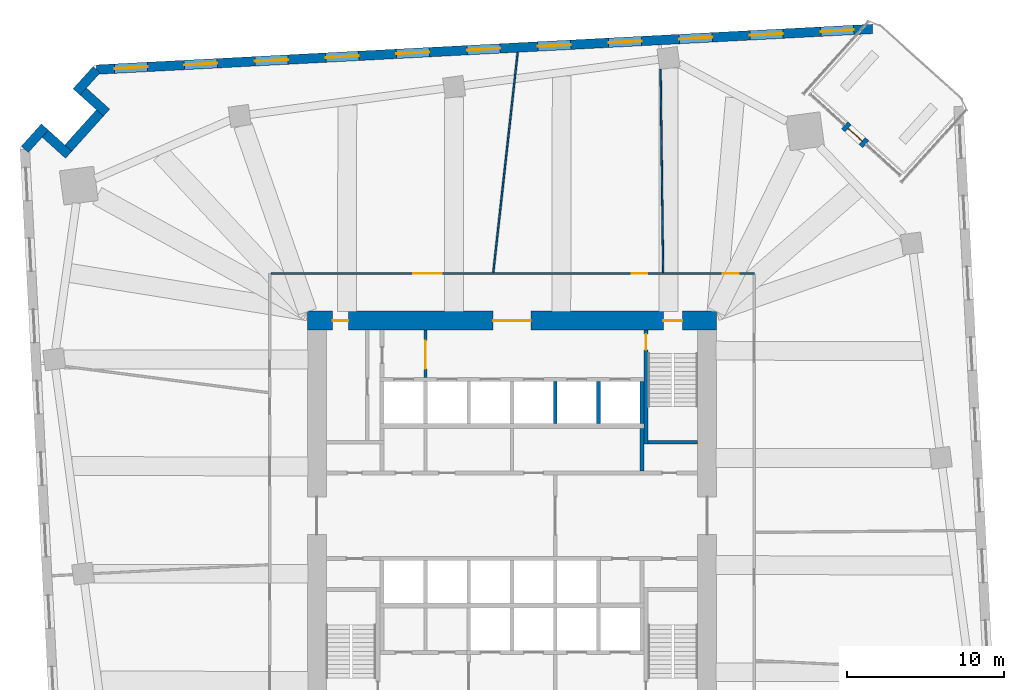
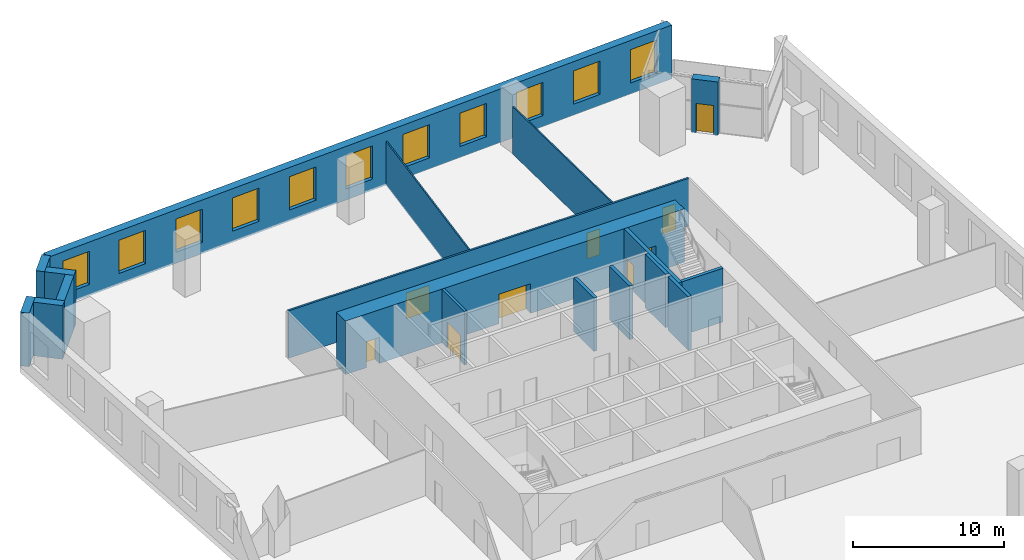
# One storey, part 7 of 10: 18 walls, 11 windows, 9 doors, 20 openings.
"""IFC4 building model written with IfcOpenShell, lengths in metres."""

from ifc_helpers import new_model, si_unit, direction, frame, frame_2d, origin, place, context, subcontext, project, spatial, rectangle, extrude, material, layer, layer_set, type_object, element, fill, save


model = new_model("IFC4")

# Units and contexts
model_context = context("Model", 3, precision=1e-05, world=origin(), true_north=direction((0.0, 1.0)))
body_context = subcontext(model_context, "Body", "Model", "MODEL_VIEW")
ifc_project = project(units=[si_unit("LENGTHUNIT", "METRE"), si_unit("AREAUNIT", "SQUARE_METRE"), si_unit("VOLUMEUNIT", "CUBIC_METRE"), si_unit("PLANEANGLEUNIT", "RADIAN"), si_unit("MASSUNIT", "GRAM", prefix="KILO")], contexts=[model_context])

# Site, building, storey
site_placement = place(None, origin())
site = spatial("IfcSite", under=ifc_project, at=site_placement, CompositionType="ELEMENT")
building_placement = place(site_placement, origin())
building = spatial("IfcBuilding", under=site, at=building_placement, Name="Dilmun Exchange Tower", CompositionType="ELEMENT")
storey_placement = place(building_placement, frame((0.0, 0.0, 27.300048828125)))
storey = spatial("IfcBuildingStorey", under=building, at=storey_placement, Name="L06", CompositionType="ELEMENT", Elevation=27.300048828125)

# Wall, opening, door
ifc_material_1 = material(Name="Concrete C40/50", Category="concrete")
ifc_layer_1 = layer(ifc_material_1, 0.199951171875)
ifc_layer_set_1 = layer_set([ifc_layer_1], Name="Concrete C40/50")
wall_type_1 = type_object("IfcWallType", Name="Core partition wall 200", PredefinedType="PARTITIONING", material=ifc_layer_set_1)
wall_1_placement = place(storey_placement, frame((-5.5, 8.804931640625, 0.0), z_axis=(0.0, 0.0, 1.0), x_axis=(0.0, 1.0, 0.0)))
wall_1 = element("IfcWall", 1, at=wall_1_placement, inside=storey, type_object=wall_type_1, Name="L06 core partition wall 19", PredefinedType="PARTITIONING", context=body_context, shape_type="SweptSolid", body=[
    extrude(rectangle(XDim=2.989990234375, YDim=0.199951171875, at=frame_2d((1.4951171875, 0.0))), origin(), (0.0, 0.0, 1.0), 4.349853515625),
])
opening_1_placement = place(wall_1_placement, frame((0.532470703125, 0.0, 0.0)))
opening_1 = element("IfcOpeningElement", 2, at=opening_1_placement, cuts=wall_1, Name="Opening CD5", PredefinedType="OPENING", context=body_context, shape_type="SweptSolid", body=[
    extrude(rectangle(XDim=1.800048828125, YDim=2.10009765625, at=frame_2d((0.89990234375, 1.050048828125))), frame((0.0, 0.10986328125, 0.0), z_axis=(0.0, -1.0, 0.0), x_axis=(1.0, 0.0, 0.0)), (0.0, 0.0, 1.0), 0.219970703125),
])
ifc_material_2 = material(Name="Fire-rated steel door set", Category="steel")
door_type_1 = type_object("IfcDoorType", Name="Stair exit door 1800x2100", OperationType="SINGLE_SWING_LEFT", PredefinedType="DOOR", material=ifc_material_2)
door_1_placement = place(opening_1_placement, origin())
door_1 = element("IfcDoor", 3, at=door_1_placement, inside=storey, type_object=door_type_1, Name="L06 door Lift lobby east", OperationType="SINGLE_SWING_LEFT", OverallHeight=2.10009765625, OverallWidth=1.800048828125, PredefinedType="DOOR", context=body_context, shape_type="SweptSolid", body=[
    extrude(rectangle(XDim=1.800048828125, YDim=2.10009765625, at=frame_2d((0.89990234375, 1.050048828125))), frame((0.0, 0.02490234375, 0.0), z_axis=(0.0, -1.0, 0.0), x_axis=(1.0, 0.0, 0.0)), (0.0, 0.0, 1.0), 0.050048828125),
])
fill(opening_1, door_1)

# Wall
ifc_layer_2 = layer(ifc_material_1, 0.25)
ifc_layer_set_2 = layer_set([ifc_layer_2], Name="Concrete C40/50")
wall_type_2 = type_object("IfcWallType", Name="Core partition wall 250", PredefinedType="PARTITIONING", material=ifc_layer_set_2)
wall_2_placement = place(storey_placement, frame((8.25, 2.85498046875, 0.0), z_axis=(0.0, 0.0, 1.0), x_axis=(0.0, 1.0, 0.0)))
element("IfcWall", 4, at=wall_2_placement, inside=storey, type_object=wall_type_2, Name="L06 core partition wall 14", PredefinedType="PARTITIONING", context=body_context, shape_type="SweptSolid", body=[
    extrude(rectangle(XDim=2.68994140625, YDim=0.25, at=frame_2d((1.344970703125, 0.0))), origin(), (0.0, 0.0, 1.0), 4.349853515625),
])

# Wall, openings, doors
ifc_material_3 = material(Name="Concrete C80/95", Category="concrete")
ifc_layer_3 = layer(ifc_material_3, 1.199951171875)
ifc_layer_set_3 = layer_set([ifc_layer_3], Name="Concrete C80/95")
wall_type_3 = type_object("IfcWallType", Name="Core shear wall 1200 Concrete C80/95", PredefinedType="SHEAR", material=ifc_layer_set_3)
wall_3_placement = place(storey_placement, frame((-13.0, 12.39990234375, 0.0), z_axis=(0.0, 0.0, 1.0), x_axis=(1.0, 0.0, 0.0)))
wall_3 = element("IfcWall", 5, at=wall_3_placement, inside=storey, type_object=wall_type_3, Name="L06 core shear wall N", PredefinedType="SHEAR", context=body_context, shape_type="SweptSolid", body=[
    extrude(rectangle(XDim=26.0, YDim=1.199951171875, at=frame_2d((13.0, 0.0))), origin(), (0.0, 0.0, 1.0), 4.349853515625),
])
opening_2_placement = place(wall_3_placement, frame((11.800048828125, 0.0, 0.0)))
opening_2 = element("IfcOpeningElement", 6, at=opening_2_placement, cuts=wall_3, Name="Opening CD1", PredefinedType="OPENING", context=body_context, shape_type="SweptSolid", body=[
    extrude(rectangle(XDim=2.39990234375, YDim=2.39990234375, at=frame_2d((1.199951171875, 1.199951171875))), frame((0.0, 0.60986328125, 0.0), z_axis=(0.0, -1.0, 0.0), x_axis=(1.0, 0.0, 0.0)), (0.0, 0.0, 1.0), 1.219970703125),
])
opening_3_placement = place(wall_3_placement, frame((22.625, 0.0, 0.0)))
opening_3 = element("IfcOpeningElement", 7, at=opening_3_placement, cuts=wall_3, Name="Opening CD3", PredefinedType="OPENING", context=body_context, shape_type="SweptSolid", body=[
    extrude(rectangle(XDim=1.199951171875, YDim=2.10009765625, at=frame_2d((0.60009765625, 1.050048828125))), frame((0.0, 0.60986328125, 0.0), z_axis=(0.0, -1.0, 0.0), x_axis=(1.0, 0.0, 0.0)), (0.0, 0.0, 1.0), 1.219970703125),
])
opening_4_placement = place(wall_3_placement, frame((1.60009765625, 0.0, 0.0)))
opening_4 = element("IfcOpeningElement", 8, at=opening_4_placement, cuts=wall_3, Name="Opening CD4", PredefinedType="OPENING", context=body_context, shape_type="SweptSolid", body=[
    extrude(rectangle(XDim=1.0, YDim=2.10009765625, at=frame_2d((0.5, 1.050048828125))), frame((0.0, 0.60986328125, 0.0), z_axis=(0.0, -1.0, 0.0), x_axis=(1.0, 0.0, 0.0)), (0.0, 0.0, 1.0), 1.219970703125),
])
door_type_2 = type_object("IfcDoorType", Name="Core lobby door 2400x2400", OperationType="DOUBLE_DOOR_DOUBLE_SWING", PredefinedType="DOOR", material=ifc_material_2)
door_2_placement = place(opening_2_placement, origin())
door_2 = element("IfcDoor", 9, at=door_2_placement, inside=storey, type_object=door_type_2, Name="L06 door North lift lobby", OperationType="SINGLE_SWING_LEFT", OverallHeight=2.39990234375, OverallWidth=2.39990234375, PredefinedType="DOOR", context=body_context, shape_type="SweptSolid", body=[
    extrude(rectangle(XDim=2.39990234375, YDim=2.39990234375, at=frame_2d((1.199951171875, 1.199951171875))), frame((0.0, 0.02490234375, 0.0), z_axis=(0.0, -1.0, 0.0), x_axis=(1.0, 0.0, 0.0)), (0.0, 0.0, 1.0), 0.050048828125),
])
fill(opening_2, door_2)
door_type_3 = type_object("IfcDoorType", Name="Core room door 1000x2100", OperationType="SINGLE_SWING_LEFT", PredefinedType="DOOR", material=ifc_material_2)
door_3_placement = place(opening_4_placement, origin())
door_3 = element("IfcDoor", 10, at=door_3_placement, inside=storey, type_object=door_type_3, Name="L06 door North-west core rooms", OperationType="SINGLE_SWING_LEFT", OverallHeight=2.10009765625, OverallWidth=1.0, PredefinedType="DOOR", context=body_context, shape_type="SweptSolid", body=[
    extrude(rectangle(XDim=1.0, YDim=2.10009765625, at=frame_2d((0.5, 1.050048828125))), frame((0.0, 0.02490234375, 0.0), z_axis=(0.0, -1.0, 0.0), x_axis=(1.0, 0.0, 0.0)), (0.0, 0.0, 1.0), 0.050048828125),
])
fill(opening_4, door_3)
door_type_4 = type_object("IfcDoorType", Name="Stair exit door 1200x2100", OperationType="SINGLE_SWING_LEFT", PredefinedType="DOOR", material=ifc_material_2)
door_4_placement = place(opening_3_placement, origin())
door_4 = element("IfcDoor", 11, at=door_4_placement, inside=storey, type_object=door_type_4, Name="L06 door Stair ST1", OperationType="SINGLE_SWING_LEFT", OverallHeight=2.10009765625, OverallWidth=1.199951171875, PredefinedType="DOOR", context=body_context, shape_type="SweptSolid", body=[
    extrude(rectangle(XDim=1.199951171875, YDim=2.10009765625, at=frame_2d((0.60009765625, 1.050048828125))), frame((0.0, 0.02490234375, 0.0), z_axis=(0.0, -1.0, 0.0), x_axis=(1.0, 0.0, 0.0)), (0.0, 0.0, 1.0), 0.050048828125),
])
fill(opening_3, door_4)

ifc_material_4 = material(Name="Corridor wall 150")
ifc_layer_4 = layer(ifc_material_4, 0.14990234375)
ifc_layer_set_4 = layer_set([ifc_layer_4], Name="Corridor wall 150")
wall_type_4 = type_object("IfcWallType", Name="Corridor wall 150", PredefinedType="PARTITIONING", material=ifc_layer_set_4)
wall_4_placement = place(storey_placement, frame((-15.324951171875, 15.39990234375, 0.0), z_axis=(0.0, 0.0, 1.0), x_axis=(1.0, 0.0, 0.0)))
wall_4 = element("IfcWall", 12, at=wall_4_placement, inside=storey, type_object=wall_type_4, Name="Corridor wall", PredefinedType="PARTITIONING", context=body_context, shape_type="SweptSolid", body=[
    extrude(rectangle(XDim=30.724853515625, YDim=0.14990234375, at=frame_2d((15.3623046875, 0.0))), origin(), (0.0, 0.0, 1.0), 3.849853515625),
])
opening_5_placement = place(wall_4_placement, frame((9.050048828125, 0.0, 0.0)))
opening_5 = element("IfcOpeningElement", 13, at=opening_5_placement, cuts=wall_4, Name="Opening TF05-D05", PredefinedType="OPENING", context=body_context, shape_type="SweptSolid", body=[
    extrude(rectangle(XDim=1.800048828125, YDim=2.10009765625, at=frame_2d((0.89990234375, 1.050048828125))), frame((0.0, 0.0849609375, 0.0), z_axis=(0.0, -1.0, 0.0), x_axis=(1.0, 0.0, 0.0)), (0.0, 0.0, 1.0), 0.169921875),
])
opening_6_placement = place(wall_4_placement, frame((22.92919921875, 0.0, 0.0)))
opening_6 = element("IfcOpeningElement", 14, at=opening_6_placement, cuts=wall_4, Name="Opening TF05-D08", PredefinedType="OPENING", context=body_context, shape_type="SweptSolid", body=[
    extrude(rectangle(XDim=1.0, YDim=2.10009765625, at=frame_2d((0.5, 1.050048828125))), frame((0.0, 0.0849609375, 0.0), z_axis=(0.0, -1.0, 0.0), x_axis=(1.0, 0.0, 0.0)), (0.0, 0.0, 1.0), 0.169921875),
])
opening_7_placement = place(wall_4_placement, frame((28.7294921875, 0.0, 0.0)))
opening_7 = element("IfcOpeningElement", 15, at=opening_7_placement, cuts=wall_4, Name="Opening TF05-D12", PredefinedType="OPENING", context=body_context, shape_type="SweptSolid", body=[
    extrude(rectangle(XDim=1.0, YDim=2.10009765625, at=frame_2d((0.5, 1.050048828125))), frame((0.0, 0.0849609375, 0.0), z_axis=(0.0, -1.0, 0.0), x_axis=(1.0, 0.0, 0.0)), (0.0, 0.0, 1.0), 0.169921875),
])
ifc_material_5 = material(Name="Fire door 1000 x 2100")
door_type_5 = type_object("IfcDoorType", Name="Fire door 1000 x 2100", OperationType="NOTDEFINED", PredefinedType="DOOR", material=ifc_material_5)
door_5_placement = place(opening_6_placement, origin())
door_5 = element("IfcDoor", 16, at=door_5_placement, inside=storey, type_object=door_type_5, Name="Door TF05-D08", OperationType="SINGLE_SWING_RIGHT", OverallHeight=2.10009765625, OverallWidth=1.0, PredefinedType="DOOR", context=body_context, shape_type="SweptSolid", body=[
    extrude(rectangle(XDim=1.0, YDim=2.10009765625, at=frame_2d((0.5, 1.050048828125))), frame((0.0, 0.02490234375, 0.0), z_axis=(0.0, -1.0, 0.0), x_axis=(1.0, 0.0, 0.0)), (0.0, 0.0, 1.0), 0.050048828125),
])
fill(opening_6, door_5)
door_6_placement = place(opening_7_placement, origin())
door_6 = element("IfcDoor", 17, at=door_6_placement, inside=storey, type_object=door_type_5, Name="Door TF05-D12", OperationType="SINGLE_SWING_RIGHT", OverallHeight=2.10009765625, OverallWidth=1.0, PredefinedType="DOOR", context=body_context, shape_type="SweptSolid", body=[
    extrude(rectangle(XDim=1.0, YDim=2.10009765625, at=frame_2d((0.5, 1.050048828125))), frame((0.0, 0.02490234375, 0.0), z_axis=(0.0, -1.0, 0.0), x_axis=(1.0, 0.0, 0.0)), (0.0, 0.0, 1.0), 0.050048828125),
])
fill(opening_7, door_6)
ifc_material_6 = material(Name="Fire door pair 1800 x 2100")
door_type_6 = type_object("IfcDoorType", Name="Fire door pair 1800 x 2100", OperationType="NOTDEFINED", PredefinedType="DOOR", material=ifc_material_6)
door_7_placement = place(opening_5_placement, origin())
door_7 = element("IfcDoor", 18, at=door_7_placement, inside=storey, type_object=door_type_6, Name="Door TF05-D05", OperationType="DOUBLE_DOOR_SINGLE_SWING", OverallHeight=2.10009765625, OverallWidth=1.800048828125, PredefinedType="DOOR", context=body_context, shape_type="SweptSolid", body=[
    extrude(rectangle(XDim=1.800048828125, YDim=2.10009765625, at=frame_2d((0.89990234375, 1.050048828125))), frame((0.0, 0.02490234375, 0.0), z_axis=(0.0, -1.0, 0.0), x_axis=(1.0, 0.0, 0.0)), (0.0, 0.0, 1.0), 0.050048828125),
])
fill(opening_5, door_7)

# Walls
ifc_layer_5 = layer(ifc_material_1, 0.25)
ifc_layer_set_5 = layer_set([ifc_layer_5], Name="Concrete C40/50")
wall_type_5 = type_object("IfcWallType", Name="Lift shaft wall 250", PredefinedType="SOLIDWALL", material=ifc_layer_set_5)
for number, where, z_axis, x_axis, name in (
    (19, (2.75, 5.85009765625, 0.0), (0.0, 0.0, 1.0), (0.0, 1.0, 0.0), "L06 lift shaft divider N24"),
    (20, (5.5, 5.85009765625, 0.0), (0.0, 0.0, 1.0), (0.0, 1.0, 0.0), "L06 lift shaft divider N25"),
    (21, (8.25, 5.85009765625, 0.0), (0.0, 0.0, 1.0), (0.0, 1.0, 0.0), "L06 lift shaft divider N26"),
):
    element("IfcWall", number, at=place(storey_placement, frame(where, z_axis=z_axis, x_axis=x_axis)), inside=storey, type_object=wall_type_5, Name=name, PredefinedType="SOLIDWALL", context=body_context, shape_type="SweptSolid", body=[
        extrude(rectangle(XDim=2.699951171875, YDim=0.25, at=frame_2d((1.35009765625, 0.0))), origin(), (0.0, 0.0, 1.0), 4.349853515625),
    ])
ifc_material_7 = material(Name="Partition 100")
ifc_layer_6 = layer(ifc_material_7, 0.10009765625)
ifc_layer_set_6 = layer_set([ifc_layer_6], Name="Partition 100")
wall_type_6 = type_object("IfcWallType", Name="Partition 100", PredefinedType="PARTITIONING", material=ifc_layer_set_6)
wall_5_placement = place(storey_placement, frame((-1.18701171875, 15.48046875, 0.0), z_axis=(0.0, 0.0, 1.0), x_axis=(0.110071375312, 0.993923685369, 0.0)))
element("IfcWall", 22, at=wall_5_placement, inside=storey, type_object=wall_type_6, Name="Partition", PredefinedType="PARTITIONING", context=body_context, shape_type="SweptSolid", body=[
    extrude(rectangle(XDim=14.062255859375, YDim=0.10009765625, at=frame_2d((7.03125, 0.0))), origin(), (0.0, 0.0, 1.0), 3.550048828125),
])
wall_6_placement = place(storey_placement, frame((9.442138671875, 28.369140625, 0.0), z_axis=(0.0, 0.0, 1.0), x_axis=(0.01255297586, -0.999921208294, 0.0)))
element("IfcWall", 23, at=wall_6_placement, inside=storey, type_object=wall_type_6, Name="Partition", PredefinedType="PARTITIONING", context=body_context, shape_type="SweptSolid", body=[
    extrude(rectangle(XDim=12.89453125, YDim=0.10009765625, at=frame_2d((6.447265625, 0.0))), origin(), (0.0, 0.0, 1.0), 3.849853515625),
])

# Wall, openings, windows
ifc_material_8 = material(Name="Precast concrete C50/60", Category="concrete")
ifc_layer_7 = layer(ifc_material_8, 0.60009765625)
ifc_layer_set_7 = layer_set([ifc_layer_7], Name="Precast concrete C50/60")
wall_type_7 = type_object("IfcWallType", Name="Precast stone-clad wall 600", PredefinedType="STANDARD", material=ifc_layer_set_7)
wall_7_placement = place(storey_placement, frame((22.912109375, 30.94140625, 0.0), z_axis=(0.0, 0.0, 1.0), x_axis=(-0.998629687104, -0.052333049168, 0.0)))
wall_7 = element("IfcWall", 24, at=wall_7_placement, inside=storey, type_object=wall_type_7, Name="Facade wall L06-03", PredefinedType="STANDARD", context=body_context, shape_type="SweptSolid", body=[
    extrude(rectangle(XDim=49.375732421875, YDim=0.60009765625, at=frame_2d((24.68798828125, 0.0))), origin(), (0.0, 0.0, 1.0), 4.349853515625),
])
opening_8_placement = place(wall_7_placement, frame((1.199951171875, 0.0, 0.89990234375)))
opening_8 = element("IfcOpeningElement", 25, at=opening_8_placement, cuts=wall_7, Name="Opening W210-270", PredefinedType="OPENING", context=body_context, shape_type="SweptSolid", body=[
    extrude(rectangle(XDim=2.10009765625, YDim=2.699951171875, at=frame_2d((1.050048828125, 1.35009765625))), frame((0.0, 0.31005859375, 0.0), z_axis=(0.0, -1.0, 0.0), x_axis=(1.0, 0.0, 0.0)), (0.0, 0.0, 1.0), 0.6201171875),
])
opening_9_placement = place(wall_7_placement, frame((5.699951171875, 0.0, 0.89990234375)))
opening_9 = element("IfcOpeningElement", 26, at=opening_9_placement, cuts=wall_7, Name="Opening W210-270", PredefinedType="OPENING", context=body_context, shape_type="SweptSolid", body=[
    extrude(rectangle(XDim=2.10009765625, YDim=2.699951171875, at=frame_2d((1.050048828125, 1.35009765625))), frame((0.0, 0.31005859375, 0.0), z_axis=(0.0, -1.0, 0.0), x_axis=(1.0, 0.0, 0.0)), (0.0, 0.0, 1.0), 0.6201171875),
])
opening_10_placement = place(wall_7_placement, frame((10.199951171875, 0.0, 0.89990234375)))
opening_10 = element("IfcOpeningElement", 27, at=opening_10_placement, cuts=wall_7, Name="Opening W210-270", PredefinedType="OPENING", context=body_context, shape_type="SweptSolid", body=[
    extrude(rectangle(XDim=2.10009765625, YDim=2.699951171875, at=frame_2d((1.050048828125, 1.35009765625))), frame((0.0, 0.31005859375, 0.0), z_axis=(0.0, -1.0, 0.0), x_axis=(1.0, 0.0, 0.0)), (0.0, 0.0, 1.0), 0.6201171875),
])
opening_11_placement = place(wall_7_placement, frame((14.699951171875, 0.0, 0.89990234375)))
opening_11 = element("IfcOpeningElement", 28, at=opening_11_placement, cuts=wall_7, Name="Opening W210-270", PredefinedType="OPENING", context=body_context, shape_type="SweptSolid", body=[
    extrude(rectangle(XDim=2.10009765625, YDim=2.699951171875, at=frame_2d((1.050048828125, 1.35009765625))), frame((0.0, 0.31005859375, 0.0), z_axis=(0.0, -1.0, 0.0), x_axis=(1.0, 0.0, 0.0)), (0.0, 0.0, 1.0), 0.6201171875),
])
opening_12_placement = place(wall_7_placement, frame((19.199951171875, 0.0, 0.89990234375)))
opening_12 = element("IfcOpeningElement", 29, at=opening_12_placement, cuts=wall_7, Name="Opening W210-270", PredefinedType="OPENING", context=body_context, shape_type="SweptSolid", body=[
    extrude(rectangle(XDim=2.10009765625, YDim=2.699951171875, at=frame_2d((1.050048828125, 1.35009765625))), frame((0.0, 0.31005859375, 0.0), z_axis=(0.0, -1.0, 0.0), x_axis=(1.0, 0.0, 0.0)), (0.0, 0.0, 1.0), 0.6201171875),
])
opening_13_placement = place(wall_7_placement, frame((23.699951171875, 0.0, 0.89990234375)))
opening_13 = element("IfcOpeningElement", 30, at=opening_13_placement, cuts=wall_7, Name="Opening W210-270", PredefinedType="OPENING", context=body_context, shape_type="SweptSolid", body=[
    extrude(rectangle(XDim=2.10009765625, YDim=2.699951171875, at=frame_2d((1.050048828125, 1.35009765625))), frame((0.0, 0.31005859375, 0.0), z_axis=(0.0, -1.0, 0.0), x_axis=(1.0, 0.0, 0.0)), (0.0, 0.0, 1.0), 0.6201171875),
])
opening_14_placement = place(wall_7_placement, frame((28.199951171875, 0.0, 0.89990234375)))
opening_14 = element("IfcOpeningElement", 31, at=opening_14_placement, cuts=wall_7, Name="Opening W210-270", PredefinedType="OPENING", context=body_context, shape_type="SweptSolid", body=[
    extrude(rectangle(XDim=2.10009765625, YDim=2.699951171875, at=frame_2d((1.050048828125, 1.35009765625))), frame((0.0, 0.31005859375, 0.0), z_axis=(0.0, -1.0, 0.0), x_axis=(1.0, 0.0, 0.0)), (0.0, 0.0, 1.0), 0.6201171875),
])
opening_15_placement = place(wall_7_placement, frame((32.699951171875, 0.0, 0.89990234375)))
opening_15 = element("IfcOpeningElement", 32, at=opening_15_placement, cuts=wall_7, Name="Opening W210-270", PredefinedType="OPENING", context=body_context, shape_type="SweptSolid", body=[
    extrude(rectangle(XDim=2.10009765625, YDim=2.699951171875, at=frame_2d((1.050048828125, 1.35009765625))), frame((0.0, 0.31005859375, 0.0), z_axis=(0.0, -1.0, 0.0), x_axis=(1.0, 0.0, 0.0)), (0.0, 0.0, 1.0), 0.6201171875),
])
opening_16_placement = place(wall_7_placement, frame((37.199951171875, 0.0, 0.89990234375)))
opening_16 = element("IfcOpeningElement", 33, at=opening_16_placement, cuts=wall_7, Name="Opening W210-270", PredefinedType="OPENING", context=body_context, shape_type="SweptSolid", body=[
    extrude(rectangle(XDim=2.10009765625, YDim=2.699951171875, at=frame_2d((1.050048828125, 1.35009765625))), frame((0.0, 0.31005859375, 0.0), z_axis=(0.0, -1.0, 0.0), x_axis=(1.0, 0.0, 0.0)), (0.0, 0.0, 1.0), 0.6201171875),
])
opening_17_placement = place(wall_7_placement, frame((41.699951171875, 0.0, 0.89990234375)))
opening_17 = element("IfcOpeningElement", 34, at=opening_17_placement, cuts=wall_7, Name="Opening W210-270", PredefinedType="OPENING", context=body_context, shape_type="SweptSolid", body=[
    extrude(rectangle(XDim=2.10009765625, YDim=2.699951171875, at=frame_2d((1.050048828125, 1.35009765625))), frame((0.0, 0.31005859375, 0.0), z_axis=(0.0, -1.0, 0.0), x_axis=(1.0, 0.0, 0.0)), (0.0, 0.0, 1.0), 0.6201171875),
])
opening_18_placement = place(wall_7_placement, frame((46.137939453125, 0.0, 0.89990234375)))
opening_18 = element("IfcOpeningElement", 35, at=opening_18_placement, cuts=wall_7, Name="Opening W210-270", PredefinedType="OPENING", context=body_context, shape_type="SweptSolid", body=[
    extrude(rectangle(XDim=2.10009765625, YDim=2.699951171875, at=frame_2d((1.050048828125, 1.35009765625))), frame((0.0, 0.31005859375, 0.0), z_axis=(0.0, -1.0, 0.0), x_axis=(1.0, 0.0, 0.0)), (0.0, 0.0, 1.0), 0.6201171875),
])
ifc_material_9 = material(Name="Clear low-emissivity glass in aluminium frame", Category="aluminium")
window_type = type_object("IfcWindowType", Name="Punched window 2100 x 2700", PartitioningType="DOUBLE_PANEL_VERTICAL", PredefinedType="WINDOW", material=ifc_material_9)
window_1_placement = place(opening_8_placement, origin())
window_1 = element("IfcWindow", 36, at=window_1_placement, inside=storey, type_object=window_type, Name="Window 4.1", OverallHeight=2.699951171875, OverallWidth=2.10009765625, PartitioningType="SINGLE_PANEL", PredefinedType="WINDOW", context=body_context, shape_type="SweptSolid", body=[
    extrude(rectangle(XDim=2.10009765625, YDim=2.699951171875, at=frame_2d((1.050048828125, 1.35009765625))), frame((0.0, 0.030029296875, 0.0), z_axis=(0.0, -1.0, 0.0), x_axis=(1.0, 0.0, 0.0)), (0.0, 0.0, 1.0), 0.06005859375),
])
fill(opening_8, window_1)
window_2_placement = place(opening_9_placement, origin())
window_2 = element("IfcWindow", 37, at=window_2_placement, inside=storey, type_object=window_type, Name="Window 4.2", OverallHeight=2.699951171875, OverallWidth=2.10009765625, PartitioningType="SINGLE_PANEL", PredefinedType="WINDOW", context=body_context, shape_type="SweptSolid", body=[
    extrude(rectangle(XDim=2.10009765625, YDim=2.699951171875, at=frame_2d((1.050048828125, 1.35009765625))), frame((0.0, 0.030029296875, 0.0), z_axis=(0.0, -1.0, 0.0), x_axis=(1.0, 0.0, 0.0)), (0.0, 0.0, 1.0), 0.06005859375),
])
fill(opening_9, window_2)
window_3_placement = place(opening_10_placement, origin())
window_3 = element("IfcWindow", 38, at=window_3_placement, inside=storey, type_object=window_type, Name="Window 4.3", OverallHeight=2.699951171875, OverallWidth=2.10009765625, PartitioningType="SINGLE_PANEL", PredefinedType="WINDOW", context=body_context, shape_type="SweptSolid", body=[
    extrude(rectangle(XDim=2.10009765625, YDim=2.699951171875, at=frame_2d((1.050048828125, 1.35009765625))), frame((0.0, 0.030029296875, 0.0), z_axis=(0.0, -1.0, 0.0), x_axis=(1.0, 0.0, 0.0)), (0.0, 0.0, 1.0), 0.06005859375),
])
fill(opening_10, window_3)
window_4_placement = place(opening_11_placement, origin())
window_4 = element("IfcWindow", 39, at=window_4_placement, inside=storey, type_object=window_type, Name="Window 4.4", OverallHeight=2.699951171875, OverallWidth=2.10009765625, PartitioningType="SINGLE_PANEL", PredefinedType="WINDOW", context=body_context, shape_type="SweptSolid", body=[
    extrude(rectangle(XDim=2.10009765625, YDim=2.699951171875, at=frame_2d((1.050048828125, 1.35009765625))), frame((0.0, 0.030029296875, 0.0), z_axis=(0.0, -1.0, 0.0), x_axis=(1.0, 0.0, 0.0)), (0.0, 0.0, 1.0), 0.06005859375),
])
fill(opening_11, window_4)
window_5_placement = place(opening_12_placement, origin())
window_5 = element("IfcWindow", 40, at=window_5_placement, inside=storey, type_object=window_type, Name="Window 4.5", OverallHeight=2.699951171875, OverallWidth=2.10009765625, PartitioningType="SINGLE_PANEL", PredefinedType="WINDOW", context=body_context, shape_type="SweptSolid", body=[
    extrude(rectangle(XDim=2.10009765625, YDim=2.699951171875, at=frame_2d((1.050048828125, 1.35009765625))), frame((0.0, 0.030029296875, 0.0), z_axis=(0.0, -1.0, 0.0), x_axis=(1.0, 0.0, 0.0)), (0.0, 0.0, 1.0), 0.06005859375),
])
fill(opening_12, window_5)
window_6_placement = place(opening_13_placement, origin())
window_6 = element("IfcWindow", 41, at=window_6_placement, inside=storey, type_object=window_type, Name="Window 4.6", OverallHeight=2.699951171875, OverallWidth=2.10009765625, PartitioningType="SINGLE_PANEL", PredefinedType="WINDOW", context=body_context, shape_type="SweptSolid", body=[
    extrude(rectangle(XDim=2.10009765625, YDim=2.699951171875, at=frame_2d((1.050048828125, 1.35009765625))), frame((0.0, 0.030029296875, 0.0), z_axis=(0.0, -1.0, 0.0), x_axis=(1.0, 0.0, 0.0)), (0.0, 0.0, 1.0), 0.06005859375),
])
fill(opening_13, window_6)
window_7_placement = place(opening_14_placement, origin())
window_7 = element("IfcWindow", 42, at=window_7_placement, inside=storey, type_object=window_type, Name="Window 4.7", OverallHeight=2.699951171875, OverallWidth=2.10009765625, PartitioningType="SINGLE_PANEL", PredefinedType="WINDOW", context=body_context, shape_type="SweptSolid", body=[
    extrude(rectangle(XDim=2.10009765625, YDim=2.699951171875, at=frame_2d((1.050048828125, 1.35009765625))), frame((0.0, 0.030029296875, 0.0), z_axis=(0.0, -1.0, 0.0), x_axis=(1.0, 0.0, 0.0)), (0.0, 0.0, 1.0), 0.06005859375),
])
fill(opening_14, window_7)
window_8_placement = place(opening_15_placement, origin())
window_8 = element("IfcWindow", 43, at=window_8_placement, inside=storey, type_object=window_type, Name="Window 4.8", OverallHeight=2.699951171875, OverallWidth=2.10009765625, PartitioningType="SINGLE_PANEL", PredefinedType="WINDOW", context=body_context, shape_type="SweptSolid", body=[
    extrude(rectangle(XDim=2.10009765625, YDim=2.699951171875, at=frame_2d((1.050048828125, 1.35009765625))), frame((0.0, 0.030029296875, 0.0), z_axis=(0.0, -1.0, 0.0), x_axis=(1.0, 0.0, 0.0)), (0.0, 0.0, 1.0), 0.06005859375),
])
fill(opening_15, window_8)
window_9_placement = place(opening_16_placement, origin())
window_9 = element("IfcWindow", 44, at=window_9_placement, inside=storey, type_object=window_type, Name="Window 4.9", OverallHeight=2.699951171875, OverallWidth=2.10009765625, PartitioningType="SINGLE_PANEL", PredefinedType="WINDOW", context=body_context, shape_type="SweptSolid", body=[
    extrude(rectangle(XDim=2.10009765625, YDim=2.699951171875, at=frame_2d((1.050048828125, 1.35009765625))), frame((0.0, 0.030029296875, 0.0), z_axis=(0.0, -1.0, 0.0), x_axis=(1.0, 0.0, 0.0)), (0.0, 0.0, 1.0), 0.06005859375),
])
fill(opening_16, window_9)
window_10_placement = place(opening_17_placement, origin())
window_10 = element("IfcWindow", 45, at=window_10_placement, inside=storey, type_object=window_type, Name="Window 4.10", OverallHeight=2.699951171875, OverallWidth=2.10009765625, PartitioningType="SINGLE_PANEL", PredefinedType="WINDOW", context=body_context, shape_type="SweptSolid", body=[
    extrude(rectangle(XDim=2.10009765625, YDim=2.699951171875, at=frame_2d((1.050048828125, 1.35009765625))), frame((0.0, 0.030029296875, 0.0), z_axis=(0.0, -1.0, 0.0), x_axis=(1.0, 0.0, 0.0)), (0.0, 0.0, 1.0), 0.06005859375),
])
fill(opening_17, window_10)
window_11_placement = place(opening_18_placement, origin())
window_11 = element("IfcWindow", 46, at=window_11_placement, inside=storey, type_object=window_type, Name="Window 4.11", OverallHeight=2.699951171875, OverallWidth=2.10009765625, PartitioningType="SINGLE_PANEL", PredefinedType="WINDOW", context=body_context, shape_type="SweptSolid", body=[
    extrude(rectangle(XDim=2.10009765625, YDim=2.699951171875, at=frame_2d((1.050048828125, 1.35009765625))), frame((0.0, 0.030029296875, 0.0), z_axis=(0.0, -1.0, 0.0), x_axis=(1.0, 0.0, 0.0)), (0.0, 0.0, 1.0), 0.06005859375),
])
fill(opening_18, window_11)

# Walls
wall_8_placement = place(storey_placement, frame((-26.39599609375, 28.357421875, 0.0), z_axis=(0.0, 0.0, 1.0), x_axis=(-0.669091754139, -0.743179806334, 0.0)))
element("IfcWall", 47, at=wall_8_placement, inside=storey, type_object=wall_type_7, Name="Facade wall L06-04", PredefinedType="STANDARD", context=body_context, shape_type="SweptSolid", body=[
    extrude(rectangle(XDim=1.911376953125, YDim=0.60009765625, at=frame_2d((0.95556640625, 0.0))), origin(), (0.0, 0.0, 1.0), 4.349853515625),
])
wall_9_placement = place(storey_placement, frame((-27.251220703125, 26.959228515625, 0.0), z_axis=(0.0, 0.0, 1.0), x_axis=(0.743184876971, -0.669086121991, 0.0)))
element("IfcWall", 48, at=wall_9_placement, inside=storey, type_object=wall_type_7, Name="Facade wall L06-05", PredefinedType="STANDARD", context=body_context, shape_type="SweptSolid", body=[
    extrude(rectangle(XDim=2.0, YDim=0.60009765625, at=frame_2d((1.0, 0.0))), origin(), (0.0, 0.0, 1.0), 4.349853515625),
])
wall_10_placement = place(storey_placement, frame((-26.188720703125, 25.598876953125, 0.0), z_axis=(0.0, 0.0, 1.0), x_axis=(-0.669108595814, -0.743164643271, 0.0)))
element("IfcWall", 49, at=wall_10_placement, inside=storey, type_object=wall_type_7, Name="Facade wall L06-06", PredefinedType="STANDARD", context=body_context, shape_type="SweptSolid", body=[
    extrude(rectangle(XDim=3.0, YDim=0.60009765625, at=frame_2d((1.5, 0.0))), origin(), (0.0, 0.0, 1.0), 4.349853515625),
])
wall_11_placement = place(storey_placement, frame((-28.173828125, 22.94580078125, 0.0), z_axis=(0.0, 0.0, 1.0), x_axis=(-0.743184876971, 0.669086121991, 0.0)))
element("IfcWall", 50, at=wall_11_placement, inside=storey, type_object=wall_type_7, Name="Facade wall L06-07", PredefinedType="STANDARD", context=body_context, shape_type="SweptSolid", body=[
    extrude(rectangle(XDim=2.0, YDim=0.60009765625, at=frame_2d((1.0, 0.0))), origin(), (0.0, 0.0, 1.0), 4.349853515625),
])
wall_12_placement = place(storey_placement, frame((-29.682373046875, 24.70751953125, 0.0), z_axis=(0.0, 0.0, 1.0), x_axis=(-0.669155276156, -0.743122611951, 0.0)))
element("IfcWall", 51, at=wall_12_placement, inside=storey, type_object=wall_type_7, Name="Facade wall L06-08", PredefinedType="STANDARD", context=body_context, shape_type="SweptSolid", body=[
    extrude(rectangle(XDim=1.9111328125, YDim=0.60009765625, at=frame_2d((0.95556640625, 0.0))), origin(), (0.0, 0.0, 1.0), 4.349853515625),
])

# Wall, opening, door
wall_13_placement = place(storey_placement, frame((22.476318359375, 23.617431640625, 0.0), z_axis=(0.0, 0.0, 1.0), x_axis=(-0.743098542319, 0.669182005439, 0.0)))
wall_13 = element("IfcWall", 52, at=wall_13_placement, inside=storey, type_object=wall_type_7, Name="Facade wall L06-01-D", PredefinedType="STANDARD", context=body_context, shape_type="SweptSolid", body=[
    extrude(rectangle(XDim=1.800048828125, YDim=0.60009765625, at=frame_2d((0.89990234375, 0.0))), origin(), (0.0, 0.0, 1.0), 4.349853515625),
])
opening_19_placement = place(wall_13_placement, frame((0.300048828125, 0.0, 0.0)))
opening_19 = element("IfcOpeningElement", 53, at=opening_19_placement, cuts=wall_13, Name="Opening GD-1", PredefinedType="OPENING", context=body_context, shape_type="SweptSolid", body=[
    extrude(rectangle(XDim=1.199951171875, YDim=2.39990234375, at=frame_2d((0.60009765625, 1.199951171875))), frame((0.0, 0.31005859375, 0.0), z_axis=(0.0, -1.0, 0.0), x_axis=(1.0, 0.0, 0.0)), (0.0, 0.0, 1.0), 0.6201171875),
])
door_type_7 = type_object("IfcDoorType", Name="Glazed garden door 1200 x 2400", OperationType="SINGLE_SWING_LEFT", PredefinedType="DOOR", material=ifc_material_9)
door_8_placement = place(opening_19_placement, origin())
door_8 = element("IfcDoor", 54, at=door_8_placement, inside=storey, type_object=door_type_7, Name="Garden terrace door", OperationType="SINGLE_SWING_LEFT", OverallHeight=2.39990234375, OverallWidth=1.199951171875, PredefinedType="DOOR", context=body_context, shape_type="SweptSolid", body=[
    extrude(rectangle(XDim=1.199951171875, YDim=2.39990234375, at=frame_2d((0.60009765625, 1.199951171875))), frame((0.0, 0.02490234375, 0.0), z_axis=(0.0, -1.0, 0.0), x_axis=(1.0, 0.0, 0.0)), (0.0, 0.0, 1.0), 0.050048828125),
])
fill(opening_19, door_8)

# Wall
ifc_layer_8 = layer(ifc_material_1, 0.25)
ifc_layer_set_8 = layer_set([ifc_layer_8], Name="Concrete C40/50")
wall_type_8 = type_object("IfcWallType", Name="Stair end wall 250", PredefinedType="SOLIDWALL", material=ifc_layer_set_8)
wall_14_placement = place(storey_placement, frame((8.64990234375, 4.675048828125, 0.0), z_axis=(0.0, 0.0, 1.0), x_axis=(1.0, 0.0, 0.0)))
element("IfcWall", 55, at=wall_14_placement, inside=storey, type_object=wall_type_8, Name="L06 ST1 far wall", PredefinedType="SOLIDWALL", context=body_context, shape_type="SweptSolid", body=[
    extrude(rectangle(XDim=3.150146484375, YDim=0.25, at=frame_2d((1.5751953125, 0.0))), origin(), (0.0, 0.0, 1.0), 4.349853515625),
])

# Wall, opening, door
ifc_layer_9 = layer(ifc_material_1, 0.27490234375)
ifc_layer_set_9 = layer_set([ifc_layer_9], Name="Concrete C40/50")
wall_type_9 = type_object("IfcWallType", Name="Stair wall 275", PredefinedType="SOLIDWALL", material=ifc_layer_set_9)
wall_15_placement = place(storey_placement, frame((8.512451171875, 4.550048828125, 0.0), z_axis=(0.0, 0.0, 1.0), x_axis=(0.0, 1.0, 0.0)))
wall_15 = element("IfcWall", 56, at=wall_15_placement, inside=storey, type_object=wall_type_9, Name="L06 ST1 wall to lift block", PredefinedType="SOLIDWALL", context=body_context, shape_type="SweptSolid", body=[
    extrude(rectangle(XDim=7.25, YDim=0.27490234375, at=frame_2d((3.625, 0.0))), origin(), (0.0, 0.0, 1.0), 4.349853515625),
])
opening_20_placement = place(wall_15_placement, frame((6.0, 0.0, 0.0)))
opening_20 = element("IfcOpeningElement", 57, at=opening_20_placement, cuts=wall_15, Name="Opening CD4", PredefinedType="OPENING", context=body_context, shape_type="SweptSolid", body=[
    extrude(rectangle(XDim=1.0, YDim=2.10009765625, at=frame_2d((0.5, 1.050048828125))), frame((0.0, 0.1474609375, 0.0), z_axis=(0.0, -1.0, 0.0), x_axis=(1.0, 0.0, 0.0)), (0.0, 0.0, 1.0), 0.294921875),
])
door_9_placement = place(opening_20_placement, origin())
door_9 = element("IfcDoor", 58, at=door_9_placement, inside=storey, type_object=door_type_3, Name="L06 door ST1 from lobby", OperationType="SINGLE_SWING_LEFT", OverallHeight=2.10009765625, OverallWidth=1.0, PredefinedType="DOOR", context=body_context, shape_type="SweptSolid", body=[
    extrude(rectangle(XDim=1.0, YDim=2.10009765625, at=frame_2d((0.5, 1.050048828125))), frame((0.0, 0.02490234375, 0.0), z_axis=(0.0, -1.0, 0.0), x_axis=(1.0, 0.0, 0.0)), (0.0, 0.0, 1.0), 0.050048828125),
])
fill(opening_20, door_9)

save(model, "model.ifc")
